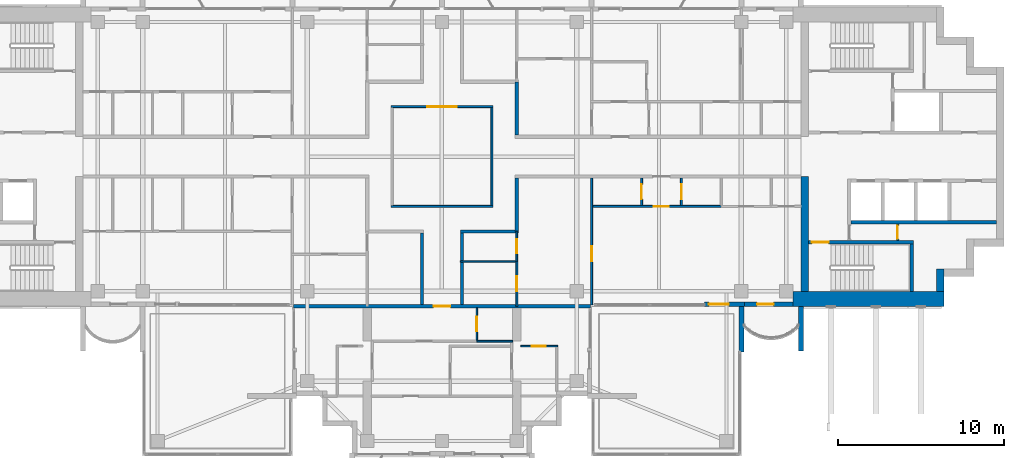
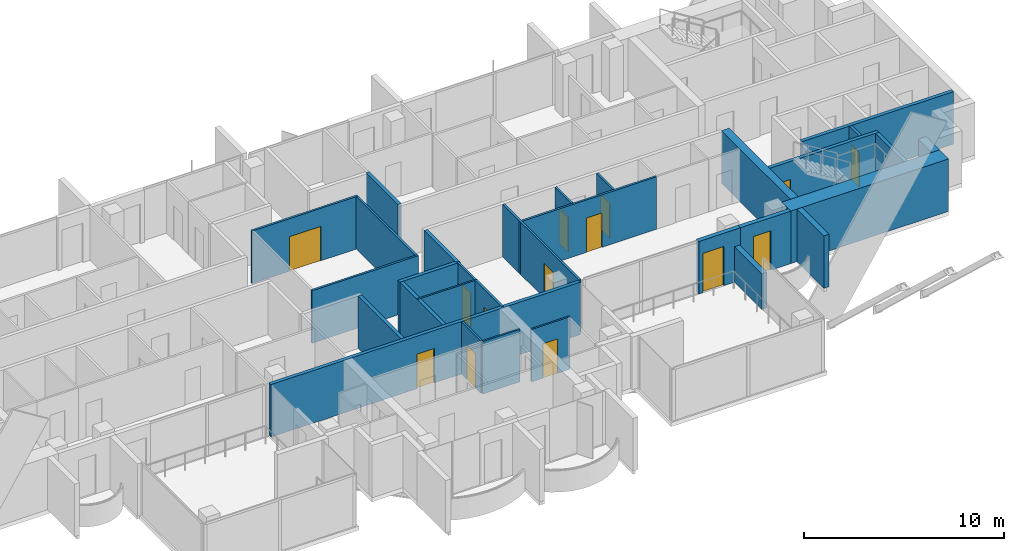
# One storey, part 11 of 18: 30 walls, 14 doors, 14 openings.
"""IFC4 building model written with IfcOpenShell, lengths in metres."""

from ifc_helpers import new_model, si_unit, direction, frame, frame_2d, origin, place, context, subcontext, project, spatial, rectangle, extrude, material, layer, layer_set, type_object, element, fill, save


model = new_model("IFC4")

# Units and contexts
model_context = context("Model", 3, precision=1e-05, world=origin(), true_north=direction((0.0, 1.0)))
body_context = subcontext(model_context, "Body", "Model", "MODEL_VIEW")
ifc_project = project(units=[si_unit("LENGTHUNIT", "METRE"), si_unit("AREAUNIT", "SQUARE_METRE"), si_unit("VOLUMEUNIT", "CUBIC_METRE"), si_unit("PLANEANGLEUNIT", "RADIAN"), si_unit("MASSUNIT", "GRAM", prefix="KILO")], contexts=[model_context])

# Site, building, storey
site_placement = place(None, origin())
site = spatial("IfcSite", under=ifc_project, at=site_placement, CompositionType="ELEMENT")
building_placement = place(site_placement, origin())
building = spatial("IfcBuilding", under=site, at=building_placement, Name="Perihelion Cross Residences", CompositionType="ELEMENT")
storey_placement = place(building_placement, frame((0.0, 0.0, 281.5)))
storey = spatial("IfcBuildingStorey", under=building, at=storey_placement, Name="L72", CompositionType="ELEMENT", Elevation=281.5)

# Walls
ifc_material_1 = material(Name="Plasterboard partition")
ifc_layer_1 = layer(ifc_material_1, 0.199951171875)
ifc_layer_set_1 = layer_set([ifc_layer_1], Name="Apartment separation wall 200")
wall_type_1 = type_object("IfcWallType", Name="Apartment separation wall 200", PredefinedType="PARTITIONING", material=ifc_layer_set_1)
for number, where, z_axis, x_axis, name in (
    (1, (4.5, 4.5, 0.0), (0.0, 0.0, 1.0), (0.0, -1.0, 0.0), "Partition L72 W006"),
    (2, (4.5, -1.300048828125, 0.0), (0.0, 0.0, 1.0), (0.0, -1.0, 0.0), "Partition L72 W010"),
):
    element("IfcWall", number, at=place(storey_placement, frame(where, z_axis=z_axis, x_axis=x_axis)), inside=storey, type_object=wall_type_1, Name=name, PredefinedType="PARTITIONING", context=body_context, shape_type="SweptSolid", body=[
        extrude(rectangle(XDim=3.199951171875, YDim=0.199951171875, at=frame_2d((1.60009765625, 0.0))), origin(), (0.0, 0.0, 1.0), 3.199951171875),
    ])
wall_1_placement = place(storey_placement, frame((4.60009765625, -4.5, 0.0), z_axis=(0.0, 0.0, 1.0), x_axis=(-1.0, 0.0, 0.0)))
element("IfcWall", 3, at=wall_1_placement, inside=storey, type_object=wall_type_1, Name="Partition L72 W011", PredefinedType="PARTITIONING", context=body_context, shape_type="SweptSolid", body=[
    extrude(rectangle(XDim=3.5, YDim=0.199951171875, at=frame_2d((1.75, 0.0))), origin(), (0.0, 0.0, 1.0), 3.199951171875),
])
for number, where, z_axis, x_axis, name in (
    (4, (1.199951171875, -4.60009765625, 0.0), (0.0, 0.0, 1.0), (0.0, -1.0, 0.0), "Partition L72 W012"),
    (5, (-1.199951171875, -8.89990234375, 0.0), (0.0, 0.0, 1.0), (0.0, 1.0, 0.0), "Partition L72 W019"),
):
    element("IfcWall", number, at=place(storey_placement, frame(where, z_axis=z_axis, x_axis=x_axis)), inside=storey, type_object=wall_type_1, Name=name, PredefinedType="PARTITIONING", context=body_context, shape_type="SweptSolid", body=[
        extrude(rectangle(XDim=4.2998046875, YDim=0.199951171875, at=frame_2d((2.14990234375, 0.0))), origin(), (0.0, 0.0, 1.0), 3.199951171875),
    ])

# Wall, opening, door
wall_2_placement = place(storey_placement, frame((8.919921875, -9.0, 0.0), z_axis=(0.0, 0.0, 1.0), x_axis=(-1.0, 0.0, 0.0)))
wall_2 = element("IfcWall", 6, at=wall_2_placement, inside=storey, type_object=wall_type_1, Name="Partition L72 W021", PredefinedType="PARTITIONING", context=body_context, shape_type="SweptSolid", body=[
    extrude(rectangle(XDim=17.83984375, YDim=0.199951171875, at=frame_2d((8.919921875, 0.0))), origin(), (0.0, 0.0, 1.0), 3.199951171875),
])
opening_1_placement = place(wall_2_placement, frame((8.419921875, 0.0, 0.0)))
opening_1 = element("IfcOpeningElement", 7, at=opening_1_placement, cuts=wall_2, Name="Opening L72.A35", PredefinedType="OPENING", context=body_context, shape_type="SweptSolid", body=[
    extrude(rectangle(XDim=1.0, YDim=2.10009765625, at=frame_2d((0.5, 1.050048828125))), frame((0.0, 0.10986328125, 0.0), z_axis=(0.0, -1.0, 0.0), x_axis=(1.0, 0.0, 0.0)), (0.0, 0.0, 1.0), 0.219970703125),
])
ifc_material_2 = material(Name="Timber door leaf", Category="wood")
door_type_1 = type_object("IfcDoorType", Name="Flat entrance door 1000 x 2100", OperationType="SINGLE_SWING_LEFT", PredefinedType="DOOR", material=ifc_material_2)
door_1_placement = place(opening_1_placement, origin())
door_1 = element("IfcDoor", 8, at=door_1_placement, inside=storey, type_object=door_type_1, Name="Door L72.A35", OperationType="SINGLE_SWING_LEFT", OverallHeight=2.10009765625, OverallWidth=1.0, PredefinedType="DOOR", context=body_context, shape_type="SweptSolid", body=[
    extrude(rectangle(XDim=1.0, YDim=2.10009765625, at=frame_2d((0.5, 1.050048828125))), frame((0.0, 0.02490234375, 0.0), z_axis=(0.0, -1.0, 0.0), x_axis=(1.0, 0.0, 0.0)), (0.0, 0.0, 1.0), 0.050048828125),
])
fill(opening_1, door_1)

ifc_material_3 = material(Name="Concrete C30/37, bronze-clad", Category="concrete")
ifc_layer_2 = layer(ifc_material_3, 0.25)
ifc_layer_set_2 = layer_set([ifc_layer_2], Name="Bronze-clad pier wall 250")
wall_type_2 = type_object("IfcWallType", Name="Bronze-clad pier wall 250", PredefinedType="SOLIDWALL", material=ifc_layer_set_2)
wall_3_placement = place(storey_placement, frame((15.800048828125, -8.875, 0.0), z_axis=(0.0, 0.0, 1.0), x_axis=(1.0, 0.0, 0.0)))
wall_3 = element("IfcWall", 9, at=wall_3_placement, inside=storey, type_object=wall_type_2, Name="Wall FW1 L72 east side south bay 1 pier", PredefinedType="SOLIDWALL", context=body_context, shape_type="SweptSolid", body=[
    extrude(rectangle(XDim=2.39990234375, YDim=0.25, at=frame_2d((1.199951171875, 0.0))), origin(), (0.0, 0.0, 1.0), 3.199951171875),
])
opening_2_placement = place(wall_3_placement, frame((0.25, 0.0, 0.0)))
opening_2 = element("IfcOpeningElement", 10, at=opening_2_placement, cuts=wall_3, Name="Opening L72.E13", PredefinedType="OPENING", context=body_context, shape_type="SweptSolid", body=[
    extrude(rectangle(XDim=1.199951171875, YDim=2.39990234375, at=frame_2d((0.60009765625, 1.199951171875))), frame((0.0, 0.135009765625, 0.0), z_axis=(0.0, -1.0, 0.0), x_axis=(1.0, 0.0, 0.0)), (0.0, 0.0, 1.0), 0.27001953125),
])
ifc_material_4 = material(Name="Bronze anodised aluminium, glazed", Category="aluminium")
door_type_2 = type_object("IfcDoorType", Name="Balcony door 1200 x 2400", OperationType="NOTDEFINED", PredefinedType="DOOR", material=ifc_material_4)
door_2_placement = place(opening_2_placement, origin())
door_2 = element("IfcDoor", 11, at=door_2_placement, inside=storey, type_object=door_type_2, Name="Door L72.E13 east side south bay 1", OperationType="SINGLE_SWING_LEFT", OverallHeight=2.39990234375, OverallWidth=1.199951171875, PredefinedType="DOOR", context=body_context, shape_type="SweptSolid", body=[
    extrude(rectangle(XDim=1.199951171875, YDim=2.39990234375, at=frame_2d((0.60009765625, 1.199951171875))), frame((0.0, 0.02490234375, 0.0), z_axis=(0.0, -1.0, 0.0), x_axis=(1.0, 0.0, 0.0)), (0.0, 0.0, 1.0), 0.050048828125),
])
fill(opening_2, door_2)

wall_4_placement = place(storey_placement, frame((18.199951171875, -8.875, 0.0), z_axis=(0.0, 0.0, 1.0), x_axis=(1.0, 0.0, 0.0)))
wall_4 = element("IfcWall", 12, at=wall_4_placement, inside=storey, type_object=wall_type_2, Name="Wall FW1 L72 east side south bay 2 pier", PredefinedType="SOLIDWALL", context=body_context, shape_type="SweptSolid", body=[
    extrude(rectangle(XDim=2.900146484375, YDim=0.25, at=frame_2d((1.4501953125, 0.0))), origin(), (0.0, 0.0, 1.0), 3.199951171875),
])
opening_3_placement = place(wall_4_placement, frame((0.75, 0.0, 0.0)))
opening_3 = element("IfcOpeningElement", 13, at=opening_3_placement, cuts=wall_4, Name="Opening L72.E14", PredefinedType="OPENING", context=body_context, shape_type="SweptSolid", body=[
    extrude(rectangle(XDim=1.0, YDim=2.39990234375, at=frame_2d((0.5, 1.199951171875))), frame((0.0, 0.135009765625, 0.0), z_axis=(0.0, -1.0, 0.0), x_axis=(1.0, 0.0, 0.0)), (0.0, 0.0, 1.0), 0.27001953125),
])
ifc_material_5 = material(Name="Bronze anodised aluminium, glazed", Category="aluminium")
door_type_3 = type_object("IfcDoorType", Name="Balcony door 1000 x 2400", OperationType="NOTDEFINED", PredefinedType="DOOR", material=ifc_material_5)
door_3_placement = place(opening_3_placement, origin())
door_3 = element("IfcDoor", 14, at=door_3_placement, inside=storey, type_object=door_type_3, Name="Door L72.E14 east side south bay 2", OperationType="SINGLE_SWING_RIGHT", OverallHeight=2.39990234375, OverallWidth=1.0, PredefinedType="DOOR", context=body_context, shape_type="SweptSolid", body=[
    extrude(rectangle(XDim=1.0, YDim=2.39990234375, at=frame_2d((0.5, 1.199951171875))), frame((0.0, 0.02490234375, 0.0), z_axis=(0.0, -1.0, 0.0), x_axis=(1.0, 0.0, 0.0)), (0.0, 0.0, 1.0), 0.050048828125),
])
fill(opening_3, door_3)

# Walls
ifc_material_6 = material(Name="Concrete C60/75", Category="concrete")
ifc_layer_3 = layer(ifc_material_6, 0.449951171875)
ifc_layer_set_3 = layer_set([ifc_layer_3], Name="Core wall, inner 450")
wall_type_3 = type_object("IfcWallType", Name="Core wall, inner 450", PredefinedType="SHEAR", material=ifc_layer_set_3)
wall_5_placement = place(storey_placement, frame((21.824951171875, -8.10009765625, 0.0), z_axis=(0.0, 0.0, 1.0), x_axis=(0.0, 1.0, 0.0)))
element("IfcWall", 15, at=wall_5_placement, inside=storey, type_object=wall_type_3, Name="East core core wall, inner", PredefinedType="SHEAR", context=body_context, shape_type="SweptSolid", body=[
    extrude(rectangle(XDim=6.900146484375, YDim=0.449951171875, at=frame_2d((3.4501953125, 0.0))), origin(), (0.0, 0.0, 1.0), 3.199951171875),
])
ifc_material_7 = material(Name="Concrete C60/75", Category="concrete")
ifc_layer_4 = layer(ifc_material_7, 0.449951171875)
ifc_layer_set_4 = layer_set([ifc_layer_4], Name="Core wall, outer 450")
wall_type_4 = type_object("IfcWallType", Name="Core wall, outer 450", PredefinedType="SHEAR", material=ifc_layer_set_4)
wall_6_placement = place(storey_placement, frame((29.97509765625, -8.10009765625, 0.0), z_axis=(0.0, 0.0, 1.0), x_axis=(0.0, 1.0, 0.0)))
element("IfcWall", 16, at=wall_6_placement, inside=storey, type_object=wall_type_4, Name="East core core wall, outer", PredefinedType="SHEAR", context=body_context, shape_type="SweptSolid", body=[
    extrude(rectangle(XDim=1.35009765625, YDim=0.449951171875, at=frame_2d((0.675048828125, 0.0))), origin(), (0.0, 0.0, 1.0), 3.199951171875),
])
ifc_material_8 = material(Name="Concrete C60/75", Category="concrete")
ifc_layer_5 = layer(ifc_material_8, 0.89990234375)
ifc_layer_set_5 = layer_set([ifc_layer_5], Name="Core wall, outer 900")
wall_type_5 = type_object("IfcWallType", Name="Core wall, outer 900", PredefinedType="SHEAR", material=ifc_layer_set_5)
wall_7_placement = place(storey_placement, frame((21.10009765625, -8.550048828125, 0.0), z_axis=(0.0, 0.0, 1.0), x_axis=(1.0, 0.0, 0.0)))
element("IfcWall", 17, at=wall_7_placement, inside=storey, type_object=wall_type_5, Name="East core core wall, outer", PredefinedType="SHEAR", context=body_context, shape_type="SweptSolid", body=[
    extrude(rectangle(XDim=9.099853515625, YDim=0.89990234375, at=frame_2d((4.5498046875, 0.0))), origin(), (0.0, 0.0, 1.0), 3.199951171875),
])
ifc_material_9 = material(Name="Plasterboard partition")
ifc_layer_6 = layer(ifc_material_9, 0.1201171875)
ifc_layer_set_6 = layer_set([ifc_layer_6], Name="Partition wall 120")
wall_type_6 = type_object("IfcWallType", Name="Partition wall 120", PredefinedType="PARTITIONING", material=ifc_layer_set_6)
wall_8_placement = place(storey_placement, frame((-3.06005859375, -3.0, 0.0), z_axis=(0.0, 0.0, 1.0), x_axis=(1.0, 0.0, 0.0)))
element("IfcWall", 18, at=wall_8_placement, inside=storey, type_object=wall_type_6, Name="Partition L72 W001", PredefinedType="PARTITIONING", context=body_context, shape_type="SweptSolid", body=[
    extrude(rectangle(XDim=6.1201171875, YDim=0.1201171875, at=frame_2d((3.06005859375, 0.0))), origin(), (0.0, 0.0, 1.0), 3.199951171875),
])
wall_9_placement = place(storey_placement, frame((3.0, -2.93994140625, 0.0), z_axis=(0.0, 0.0, 1.0), x_axis=(0.0, 1.0, 0.0)))
element("IfcWall", 19, at=wall_9_placement, inside=storey, type_object=wall_type_6, Name="Partition L72 W002", PredefinedType="PARTITIONING", context=body_context, shape_type="SweptSolid", body=[
    extrude(rectangle(XDim=5.8798828125, YDim=0.1201171875, at=frame_2d((2.93994140625, 0.0))), origin(), (0.0, 0.0, 1.0), 3.199951171875),
])

# Wall, opening, door
wall_10_placement = place(storey_placement, frame((3.06005859375, 3.0, 0.0), z_axis=(0.0, 0.0, 1.0), x_axis=(-1.0, 0.0, 0.0)))
wall_10 = element("IfcWall", 20, at=wall_10_placement, inside=storey, type_object=wall_type_6, Name="Partition L72 W003", PredefinedType="PARTITIONING", context=body_context, shape_type="SweptSolid", body=[
    extrude(rectangle(XDim=6.1201171875, YDim=0.1201171875, at=frame_2d((3.06005859375, 0.0))), origin(), (0.0, 0.0, 1.0), 3.199951171875),
])
opening_4_placement = place(wall_10_placement, frame((2.159912109375, 0.0, 0.0)))
opening_4 = element("IfcOpeningElement", 21, at=opening_4_placement, cuts=wall_10, Name="Opening L72.A01", PredefinedType="OPENING", context=body_context, shape_type="SweptSolid", body=[
    extrude(rectangle(XDim=1.800048828125, YDim=2.10009765625, at=frame_2d((0.89990234375, 1.050048828125))), frame((0.0, 0.070068359375, 0.0), z_axis=(0.0, -1.0, 0.0), x_axis=(1.0, 0.0, 0.0)), (0.0, 0.0, 1.0), 0.14013671875),
])
ifc_material_10 = material(Name="Glazed timber door leaf", Category="wood")
door_type_4 = type_object("IfcDoorType", Name="Interior double leaf door 1800 x 2100", OperationType="DOUBLE_DOOR_SINGLE_SWING", PredefinedType="DOOR", material=ifc_material_10)
door_4_placement = place(opening_4_placement, origin())
door_4 = element("IfcDoor", 22, at=door_4_placement, inside=storey, type_object=door_type_4, Name="Door L72.A01", OperationType="SINGLE_SWING_LEFT", OverallHeight=2.10009765625, OverallWidth=1.800048828125, PredefinedType="DOOR", context=body_context, shape_type="SweptSolid", body=[
    extrude(rectangle(XDim=1.800048828125, YDim=2.10009765625, at=frame_2d((0.89990234375, 1.050048828125))), frame((0.0, 0.02490234375, 0.0), z_axis=(0.0, -1.0, 0.0), x_axis=(1.0, 0.0, 0.0)), (0.0, 0.0, 1.0), 0.050048828125),
])
fill(opening_4, door_4)

wall_11_placement = place(storey_placement, frame((12.0, -1.300048828125, 0.0), z_axis=(0.0, 0.0, 1.0), x_axis=(0.0, -1.0, 0.0)))
wall_11 = element("IfcWall", 23, at=wall_11_placement, inside=storey, type_object=wall_type_6, Name="Partition L72 W035", PredefinedType="PARTITIONING", context=body_context, shape_type="SweptSolid", body=[
    extrude(rectangle(XDim=1.639892578125, YDim=0.1201171875, at=frame_2d((0.81982421875, 0.0))), origin(), (0.0, 0.0, 1.0), 3.199951171875),
])
opening_5_placement = place(wall_11_placement, frame((0.3701171875, 0.0, 0.0)))
opening_5 = element("IfcOpeningElement", 24, at=opening_5_placement, cuts=wall_11, Name="Opening L72.A12", PredefinedType="OPENING", context=body_context, shape_type="SweptSolid", body=[
    extrude(rectangle(XDim=0.89990234375, YDim=2.10009765625, at=frame_2d((0.449951171875, 1.050048828125))), frame((0.0, 0.070068359375, 0.0), z_axis=(0.0, -1.0, 0.0), x_axis=(1.0, 0.0, 0.0)), (0.0, 0.0, 1.0), 0.14013671875),
])
ifc_material_11 = material(Name="Timber door leaf", Category="wood")
door_type_5 = type_object("IfcDoorType", Name="Interior room door 900 x 2100", OperationType="SINGLE_SWING_LEFT", PredefinedType="DOOR", material=ifc_material_11)
door_5_placement = place(opening_5_placement, origin())
door_5 = element("IfcDoor", 25, at=door_5_placement, inside=storey, type_object=door_type_5, Name="Door L72.A12", OperationType="SINGLE_SWING_LEFT", OverallHeight=2.10009765625, OverallWidth=0.89990234375, PredefinedType="DOOR", context=body_context, shape_type="SweptSolid", body=[
    extrude(rectangle(XDim=0.89990234375, YDim=2.10009765625, at=frame_2d((0.449951171875, 1.050048828125))), frame((0.0, 0.02490234375, 0.0), z_axis=(0.0, -1.0, 0.0), x_axis=(1.0, 0.0, 0.0)), (0.0, 0.0, 1.0), 0.050048828125),
])
fill(opening_5, door_5)

wall_12_placement = place(storey_placement, frame((16.800048828125, -3.0, 0.0), z_axis=(0.0, 0.0, 1.0), x_axis=(-1.0, 0.0, 0.0)))
wall_12 = element("IfcWall", 26, at=wall_12_placement, inside=storey, type_object=wall_type_6, Name="Partition L72 W036", PredefinedType="PARTITIONING", context=body_context, shape_type="SweptSolid", body=[
    extrude(rectangle(XDim=7.860107421875, YDim=0.1201171875, at=frame_2d((3.93017578125, 0.0))), origin(), (0.0, 0.0, 1.0), 3.199951171875),
])
opening_6_placement = place(wall_12_placement, frame((3.14990234375, 0.0, 0.0)))
opening_6 = element("IfcOpeningElement", 27, at=opening_6_placement, cuts=wall_12, Name="Opening L72.A17", PredefinedType="OPENING", context=body_context, shape_type="SweptSolid", body=[
    extrude(rectangle(XDim=0.89990234375, YDim=2.10009765625, at=frame_2d((0.449951171875, 1.050048828125))), frame((0.0, 0.070068359375, 0.0), z_axis=(0.0, -1.0, 0.0), x_axis=(1.0, 0.0, 0.0)), (0.0, 0.0, 1.0), 0.14013671875),
])
door_6_placement = place(opening_6_placement, origin())
door_6 = element("IfcDoor", 28, at=door_6_placement, inside=storey, type_object=door_type_5, Name="Door L72.A17", OperationType="SINGLE_SWING_RIGHT", OverallHeight=2.10009765625, OverallWidth=0.89990234375, PredefinedType="DOOR", context=body_context, shape_type="SweptSolid", body=[
    extrude(rectangle(XDim=0.89990234375, YDim=2.10009765625, at=frame_2d((0.449951171875, 1.050048828125))), frame((0.0, 0.02490234375, 0.0), z_axis=(0.0, -1.0, 0.0), x_axis=(1.0, 0.0, 0.0)), (0.0, 0.0, 1.0), 0.050048828125),
])
fill(opening_6, door_6)

wall_13_placement = place(storey_placement, frame((9.0, -8.919921875, 0.0), z_axis=(0.0, 0.0, 1.0), x_axis=(0.0, 1.0, 0.0)))
wall_13 = element("IfcWall", 29, at=wall_13_placement, inside=storey, type_object=wall_type_6, Name="Partition L72 W037", PredefinedType="PARTITIONING", context=body_context, shape_type="SweptSolid", body=[
    extrude(rectangle(XDim=7.619873046875, YDim=0.1201171875, at=frame_2d((3.81005859375, 0.0))), origin(), (0.0, 0.0, 1.0), 3.199951171875),
])
opening_7_placement = place(wall_13_placement, frame((2.6201171875, 0.0, 0.0)))
opening_7 = element("IfcOpeningElement", 30, at=opening_7_placement, cuts=wall_13, Name="Opening L72.A14", PredefinedType="OPENING", context=body_context, shape_type="SweptSolid", body=[
    extrude(rectangle(XDim=0.89990234375, YDim=2.10009765625, at=frame_2d((0.449951171875, 1.050048828125))), frame((0.0, 0.070068359375, 0.0), z_axis=(0.0, -1.0, 0.0), x_axis=(1.0, 0.0, 0.0)), (0.0, 0.0, 1.0), 0.14013671875),
])
door_7_placement = place(opening_7_placement, origin())
door_7 = element("IfcDoor", 31, at=door_7_placement, inside=storey, type_object=door_type_5, Name="Door L72.A14", OperationType="SINGLE_SWING_RIGHT", OverallHeight=2.10009765625, OverallWidth=0.89990234375, PredefinedType="DOOR", context=body_context, shape_type="SweptSolid", body=[
    extrude(rectangle(XDim=0.89990234375, YDim=2.10009765625, at=frame_2d((0.449951171875, 1.050048828125))), frame((0.0, 0.02490234375, 0.0), z_axis=(0.0, -1.0, 0.0), x_axis=(1.0, 0.0, 0.0)), (0.0, 0.0, 1.0), 0.050048828125),
])
fill(opening_7, door_7)

wall_14_placement = place(storey_placement, frame((14.39990234375, -1.300048828125, 0.0), z_axis=(0.0, 0.0, 1.0), x_axis=(0.0, -1.0, 0.0)))
wall_14 = element("IfcWall", 32, at=wall_14_placement, inside=storey, type_object=wall_type_6, Name="Partition L72 W038", PredefinedType="PARTITIONING", context=body_context, shape_type="SweptSolid", body=[
    extrude(rectangle(XDim=1.639892578125, YDim=0.1201171875, at=frame_2d((0.81982421875, 0.0))), origin(), (0.0, 0.0, 1.0), 3.199951171875),
])
opening_8_placement = place(wall_14_placement, frame((0.3701171875, 0.0, 0.0)))
opening_8 = element("IfcOpeningElement", 33, at=opening_8_placement, cuts=wall_14, Name="Opening L72.A18", PredefinedType="OPENING", context=body_context, shape_type="SweptSolid", body=[
    extrude(rectangle(XDim=0.89990234375, YDim=2.10009765625, at=frame_2d((0.449951171875, 1.050048828125))), frame((0.0, 0.070068359375, 0.0), z_axis=(0.0, -1.0, 0.0), x_axis=(1.0, 0.0, 0.0)), (0.0, 0.0, 1.0), 0.14013671875),
])
door_8_placement = place(opening_8_placement, origin())
door_8 = element("IfcDoor", 34, at=door_8_placement, inside=storey, type_object=door_type_5, Name="Door L72.A18", OperationType="SINGLE_SWING_RIGHT", OverallHeight=2.10009765625, OverallWidth=0.89990234375, PredefinedType="DOOR", context=body_context, shape_type="SweptSolid", body=[
    extrude(rectangle(XDim=0.89990234375, YDim=2.10009765625, at=frame_2d((0.449951171875, 1.050048828125))), frame((0.0, 0.02490234375, 0.0), z_axis=(0.0, -1.0, 0.0), x_axis=(1.0, 0.0, 0.0)), (0.0, 0.0, 1.0), 0.050048828125),
])
fill(opening_8, door_8)

wall_15_placement = place(storey_placement, frame((4.5, -9.0, 0.0), z_axis=(0.0, 0.0, 1.0), x_axis=(0.0, 1.0, 0.0)))
wall_15 = element("IfcWall", 35, at=wall_15_placement, inside=storey, type_object=wall_type_6, Name="Partition L72 W044", PredefinedType="PARTITIONING", context=body_context, shape_type="SweptSolid", body=[
    extrude(rectangle(XDim=2.699951171875, YDim=0.1201171875, at=frame_2d((1.35009765625, 0.0))), origin(), (0.0, 0.0, 1.0), 3.199951171875),
])
opening_9_placement = place(wall_15_placement, frame((0.89990234375, 0.0, 0.0)))
opening_9 = element("IfcOpeningElement", 36, at=opening_9_placement, cuts=wall_15, Name="Opening L72.A15", PredefinedType="OPENING", context=body_context, shape_type="SweptSolid", body=[
    extrude(rectangle(XDim=0.89990234375, YDim=2.10009765625, at=frame_2d((0.449951171875, 1.050048828125))), frame((0.0, 0.070068359375, 0.0), z_axis=(0.0, -1.0, 0.0), x_axis=(1.0, 0.0, 0.0)), (0.0, 0.0, 1.0), 0.14013671875),
])
door_9_placement = place(opening_9_placement, origin())
door_9 = element("IfcDoor", 37, at=door_9_placement, inside=storey, type_object=door_type_5, Name="Door L72.A15", OperationType="SINGLE_SWING_RIGHT", OverallHeight=2.10009765625, OverallWidth=0.89990234375, PredefinedType="DOOR", context=body_context, shape_type="SweptSolid", body=[
    extrude(rectangle(XDim=0.89990234375, YDim=2.10009765625, at=frame_2d((0.449951171875, 1.050048828125))), frame((0.0, 0.02490234375, 0.0), z_axis=(0.0, -1.0, 0.0), x_axis=(1.0, 0.0, 0.0)), (0.0, 0.0, 1.0), 0.050048828125),
])
fill(opening_9, door_9)

# Walls
ifc_material_12 = material(Name="Precast concrete C50/60", Category="concrete")
ifc_layer_7 = layer(ifc_material_12, 0.300048828125)
ifc_layer_set_7 = layer_set([ifc_layer_7], Name="Precast concrete C50/60 blade wall 300")
wall_type_7 = type_object("IfcWallType", Name="Precast concrete C50/60 blade wall 300", PredefinedType="SOLIDWALL", material=ifc_layer_set_7)
wall_16_placement = place(storey_placement, frame((18.0, -9.0, 0.0), z_axis=(0.0, 0.0, 1.0), x_axis=(0.0, -1.0, 0.0)))
element("IfcWall", 38, at=wall_16_placement, inside=storey, type_object=wall_type_7, Name="Wall BL1 L72 no. 10", PredefinedType="SOLIDWALL", context=body_context, shape_type="SweptSolid", body=[
    extrude(rectangle(XDim=2.739990234375, YDim=0.300048828125, at=frame_2d((1.3701171875, 0.0))), origin(), (0.0, 0.0, 1.0), 2.169921875),
])
wall_17_placement = place(storey_placement, frame((21.60009765625, -9.0, 0.0), z_axis=(0.0, 0.0, 1.0), x_axis=(0.0, -1.0, 0.0)))
element("IfcWall", 39, at=wall_17_placement, inside=storey, type_object=wall_type_7, Name="Wall BL1 L72 no. 12", PredefinedType="SOLIDWALL", context=body_context, shape_type="SweptSolid", body=[
    extrude(rectangle(XDim=2.699951171875, YDim=0.300048828125, at=frame_2d((1.35009765625, 0.0))), origin(), (0.0, 0.0, 1.0), 3.199951171875),
])

# Wall, opening, door
ifc_material_13 = material(Name="Fire-rated board on steel stud", Category="steel")
ifc_layer_8 = layer(ifc_material_13, 0.14990234375)
ifc_layer_set_8 = layer_set([ifc_layer_8], Name="Riser wall 150")
wall_type_8 = type_object("IfcWallType", Name="Riser wall 150", PredefinedType="PARTITIONING", material=ifc_layer_set_8)
wall_18_placement = place(storey_placement, frame((27.39990234375, -5.050048828125, 0.0), z_axis=(0.0, 0.0, 1.0), x_axis=(0.0, 1.0, 0.0)))
wall_18 = element("IfcWall", 40, at=wall_18_placement, inside=storey, type_object=wall_type_8, Name="East core riser wall", PredefinedType="PARTITIONING", context=body_context, shape_type="SweptSolid", body=[
    extrude(rectangle(XDim=1.0, YDim=0.14990234375, at=frame_2d((0.5, 0.0))), origin(), (0.0, 0.0, 1.0), 3.199951171875),
])
opening_10_placement = place(wall_18_placement, frame((0.10009765625, 0.0, 0.0)))
opening_10 = element("IfcOpeningElement", 41, at=opening_10_placement, cuts=wall_18, Name="Opening L72.C11", PredefinedType="OPENING", context=body_context, shape_type="SweptSolid", body=[
    extrude(rectangle(XDim=0.800048828125, YDim=2.10009765625, at=frame_2d((0.39990234375, 1.050048828125))), frame((0.0, 0.0849609375, 0.0), z_axis=(0.0, -1.0, 0.0), x_axis=(1.0, 0.0, 0.0)), (0.0, 0.0, 1.0), 0.169921875),
])
ifc_material_14 = material(Name="Steel, powder coated", Category="steel")
door_type_6 = type_object("IfcDoorType", Name="Riser door 800", OperationType="SINGLE_SWING_LEFT", PredefinedType="DOOR", material=ifc_material_14)
door_10_placement = place(opening_10_placement, origin())
door_10 = element("IfcDoor", 42, at=door_10_placement, inside=storey, type_object=door_type_6, Name="East core riser door", OperationType="SINGLE_SWING_LEFT", OverallHeight=2.10009765625, OverallWidth=0.800048828125, PredefinedType="DOOR", context=body_context, shape_type="SweptSolid", body=[
    extrude(rectangle(XDim=0.800048828125, YDim=2.10009765625, at=frame_2d((0.39990234375, 1.050048828125))), frame((0.0, 0.02490234375, 0.0), z_axis=(0.0, -1.0, 0.0), x_axis=(1.0, 0.0, 0.0)), (0.0, 0.0, 1.0), 0.050048828125),
])
fill(opening_10, door_10)

# Wall
ifc_material_15 = material(Name="Concrete C50/60", Category="concrete")
ifc_layer_9 = layer(ifc_material_15, 0.199951171875)
ifc_layer_set_9 = layer_set([ifc_layer_9], Name="Shaft wall 200")
wall_type_9 = type_object("IfcWallType", Name="Shaft wall 200", PredefinedType="SOLIDWALL", material=ifc_layer_set_9)
wall_19_placement = place(storey_placement, frame((24.60009765625, -3.949951171875, 0.0), z_axis=(0.0, 0.0, 1.0), x_axis=(1.0, 0.0, 0.0)))
element("IfcWall", 43, at=wall_19_placement, inside=storey, type_object=wall_type_9, Name="East core shaft wall", PredefinedType="SOLIDWALL", context=body_context, shape_type="SweptSolid", body=[
    extrude(rectangle(XDim=8.75, YDim=0.199951171875, at=frame_2d((4.375, 0.0))), origin(), (0.0, 0.0, 1.0), 3.199951171875),
])

# Wall, opening, door
ifc_material_16 = material(Name="Concrete C50/60", Category="concrete")
ifc_layer_10 = layer(ifc_material_16, 0.199951171875)
ifc_layer_set_10 = layer_set([ifc_layer_10], Name="Stair wall 200")
wall_type_10 = type_object("IfcWallType", Name="Stair wall 200", PredefinedType="SOLIDWALL", material=ifc_layer_set_10)
wall_20_placement = place(storey_placement, frame((22.050048828125, -5.14990234375, 0.0), z_axis=(0.0, 0.0, 1.0), x_axis=(1.0, 0.0, 0.0)))
wall_20 = element("IfcWall", 44, at=wall_20_placement, inside=storey, type_object=wall_type_10, Name="East core stair wall", PredefinedType="SOLIDWALL", context=body_context, shape_type="SweptSolid", body=[
    extrude(rectangle(XDim=6.300048828125, YDim=0.199951171875, at=frame_2d((3.14990234375, 0.0))), origin(), (0.0, 0.0, 1.0), 3.199951171875),
])
opening_11_placement = place(wall_20_placement, frame((0.199951171875, 0.0, 0.0)))
opening_11 = element("IfcOpeningElement", 45, at=opening_11_placement, cuts=wall_20, Name="Opening L72.C05", PredefinedType="OPENING", context=body_context, shape_type="SweptSolid", body=[
    extrude(rectangle(XDim=1.0, YDim=2.10009765625, at=frame_2d((0.5, 1.050048828125))), frame((0.0, 0.10986328125, 0.0), z_axis=(0.0, -1.0, 0.0), x_axis=(1.0, 0.0, 0.0)), (0.0, 0.0, 1.0), 0.219970703125),
])
ifc_material_17 = material(Name="Steel, powder coated", Category="steel")
door_type_7 = type_object("IfcDoorType", Name="Stair door 1000", OperationType="SINGLE_SWING_LEFT", PredefinedType="DOOR", material=ifc_material_17)
door_11_placement = place(opening_11_placement, origin())
door_11 = element("IfcDoor", 46, at=door_11_placement, inside=storey, type_object=door_type_7, Name="East core stair door", OperationType="SINGLE_SWING_LEFT", OverallHeight=2.10009765625, OverallWidth=1.0, PredefinedType="DOOR", context=body_context, shape_type="SweptSolid", body=[
    extrude(rectangle(XDim=1.0, YDim=2.10009765625, at=frame_2d((0.5, 1.050048828125))), frame((0.0, 0.02490234375, 0.0), z_axis=(0.0, -1.0, 0.0), x_axis=(1.0, 0.0, 0.0)), (0.0, 0.0, 1.0), 0.050048828125),
])
fill(opening_11, door_11)

# Wall
wall_21_placement = place(storey_placement, frame((28.25, -8.10009765625, 0.0), z_axis=(0.0, 0.0, 1.0), x_axis=(0.0, 1.0, 0.0)))
element("IfcWall", 47, at=wall_21_placement, inside=storey, type_object=wall_type_10, Name="East core stair wall", PredefinedType="SOLIDWALL", context=body_context, shape_type="SweptSolid", body=[
    extrude(rectangle(XDim=2.85009765625, YDim=0.199951171875, at=frame_2d((1.425048828125, 0.0))), origin(), (0.0, 0.0, 1.0), 3.199951171875),
])

# Wall, opening, door
ifc_material_18 = material(Name="Plasterboard partition")
ifc_layer_11 = layer(ifc_material_18, 0.10009765625)
ifc_layer_set_11 = layer_set([ifc_layer_11], Name="Wet room wall 100")
wall_type_11 = type_object("IfcWallType", Name="Wet room wall 100", PredefinedType="PARTITIONING", material=ifc_layer_set_11)
wall_22_placement = place(storey_placement, frame((4.5, -6.300048828125, 0.0), z_axis=(0.0, 0.0, 1.0), x_axis=(0.0, 1.0, 0.0)))
wall_22 = element("IfcWall", 48, at=wall_22_placement, inside=storey, type_object=wall_type_11, Name="Partition L72 W043", PredefinedType="PARTITIONING", context=body_context, shape_type="SweptSolid", body=[
    extrude(rectangle(XDim=1.800048828125, YDim=0.10009765625, at=frame_2d((0.89990234375, 0.0))), origin(), (0.0, 0.0, 1.0), 3.199951171875),
])
opening_12_placement = place(wall_22_placement, frame((0.47509765625, 0.0, 0.0)))
opening_12 = element("IfcOpeningElement", 49, at=opening_12_placement, cuts=wall_22, Name="Opening L72.A16", PredefinedType="OPENING", context=body_context, shape_type="SweptSolid", body=[
    extrude(rectangle(XDim=0.85009765625, YDim=2.10009765625, at=frame_2d((0.425048828125, 1.050048828125))), frame((0.0, 0.06005859375, 0.0), z_axis=(0.0, -1.0, 0.0), x_axis=(1.0, 0.0, 0.0)), (0.0, 0.0, 1.0), 0.1201171875),
])
ifc_material_19 = material(Name="Timber door leaf", Category="wood")
door_type_8 = type_object("IfcDoorType", Name="Interior bathroom door 850 x 2100", OperationType="SINGLE_SWING_LEFT", PredefinedType="DOOR", material=ifc_material_19)
door_12_placement = place(opening_12_placement, origin())
door_12 = element("IfcDoor", 50, at=door_12_placement, inside=storey, type_object=door_type_8, Name="Door L72.A16", OperationType="SINGLE_SWING_LEFT", OverallHeight=2.10009765625, OverallWidth=0.85009765625, PredefinedType="DOOR", context=body_context, shape_type="SweptSolid", body=[
    extrude(rectangle(XDim=0.85009765625, YDim=2.10009765625, at=frame_2d((0.425048828125, 1.050048828125))), frame((0.0, 0.02490234375, 0.0), z_axis=(0.0, -1.0, 0.0), x_axis=(1.0, 0.0, 0.0)), (0.0, 0.0, 1.0), 0.050048828125),
])
fill(opening_12, door_12)

# Wall
wall_23_placement = place(storey_placement, frame((4.56005859375, -6.300048828125, 0.0), z_axis=(0.0, 0.0, 1.0), x_axis=(-1.0, 0.0, 0.0)))
element("IfcWall", 51, at=wall_23_placement, inside=storey, type_object=wall_type_11, Name="Partition L72 W045", PredefinedType="PARTITIONING", context=body_context, shape_type="SweptSolid", body=[
    extrude(rectangle(XDim=3.4599609375, YDim=0.10009765625, at=frame_2d((1.72998046875, 0.0))), origin(), (0.0, 0.0, 1.0), 3.199951171875),
])

# Wall, opening, door
wall_24_placement = place(storey_placement, frame((2.10009765625, -9.10009765625, 0.0), z_axis=(0.0, 0.0, 1.0), x_axis=(0.0, -1.0, 0.0)))
wall_24 = element("IfcWall", 52, at=wall_24_placement, inside=storey, type_object=wall_type_11, Name="Partition L72 W067", PredefinedType="PARTITIONING", context=body_context, shape_type="SweptSolid", body=[
    extrude(rectangle(XDim=1.93994140625, YDim=0.10009765625, at=frame_2d((0.969970703125, 0.0))), origin(), (0.0, 0.0, 1.0), 3.199951171875),
])
opening_13_placement = place(wall_24_placement, frame((0.544921875, 0.0, 0.0)))
opening_13 = element("IfcOpeningElement", 53, at=opening_13_placement, cuts=wall_24, Name="Opening L72.A36", PredefinedType="OPENING", context=body_context, shape_type="SweptSolid", body=[
    extrude(rectangle(XDim=0.85009765625, YDim=2.10009765625, at=frame_2d((0.425048828125, 1.050048828125))), frame((0.0, 0.06005859375, 0.0), z_axis=(0.0, -1.0, 0.0), x_axis=(1.0, 0.0, 0.0)), (0.0, 0.0, 1.0), 0.1201171875),
])
door_13_placement = place(opening_13_placement, origin())
door_13 = element("IfcDoor", 54, at=door_13_placement, inside=storey, type_object=door_type_8, Name="Door L72.A36", OperationType="SINGLE_SWING_RIGHT", OverallHeight=2.10009765625, OverallWidth=0.85009765625, PredefinedType="DOOR", context=body_context, shape_type="SweptSolid", body=[
    extrude(rectangle(XDim=0.85009765625, YDim=2.10009765625, at=frame_2d((0.425048828125, 1.050048828125))), frame((0.0, 0.02490234375, 0.0), z_axis=(0.0, -1.0, 0.0), x_axis=(1.0, 0.0, 0.0)), (0.0, 0.0, 1.0), 0.050048828125),
])
fill(opening_13, door_13)

# Wall
wall_25_placement = place(storey_placement, frame((4.25, -11.10009765625, 0.0), z_axis=(0.0, 0.0, 1.0), x_axis=(-1.0, 0.0, 0.0)))
element("IfcWall", 55, at=wall_25_placement, inside=storey, type_object=wall_type_11, Name="Partition L72 W069", PredefinedType="PARTITIONING", context=body_context, shape_type="SweptSolid", body=[
    extrude(rectangle(XDim=2.14990234375, YDim=0.10009765625, at=frame_2d((1.074951171875, 0.0))), origin(), (0.0, 0.0, 1.0), 3.199951171875),
])

# Wall, opening, door
wall_26_placement = place(storey_placement, frame((6.949951171875, -11.39990234375, 0.0), z_axis=(0.0, 0.0, 1.0), x_axis=(-1.0, 0.0, 0.0)))
wall_26 = element("IfcWall", 56, at=wall_26_placement, inside=storey, type_object=wall_type_11, Name="Partition L72 W074", PredefinedType="PARTITIONING", context=body_context, shape_type="SweptSolid", body=[
    extrude(rectangle(XDim=2.199951171875, YDim=0.10009765625, at=frame_2d((1.10009765625, 0.0))), origin(), (0.0, 0.0, 1.0), 3.199951171875),
])
opening_14_placement = place(wall_26_placement, frame((0.699951171875, 0.0, 0.0)))
opening_14 = element("IfcOpeningElement", 57, at=opening_14_placement, cuts=wall_26, Name="Opening L72.A40", PredefinedType="OPENING", context=body_context, shape_type="SweptSolid", body=[
    extrude(rectangle(XDim=0.85009765625, YDim=2.10009765625, at=frame_2d((0.425048828125, 1.050048828125))), frame((0.0, 0.06005859375, 0.0), z_axis=(0.0, -1.0, 0.0), x_axis=(1.0, 0.0, 0.0)), (0.0, 0.0, 1.0), 0.1201171875),
])
door_14_placement = place(opening_14_placement, origin())
door_14 = element("IfcDoor", 58, at=door_14_placement, inside=storey, type_object=door_type_8, Name="Door L72.A40", OperationType="SINGLE_SWING_RIGHT", OverallHeight=2.10009765625, OverallWidth=0.85009765625, PredefinedType="DOOR", context=body_context, shape_type="SweptSolid", body=[
    extrude(rectangle(XDim=0.85009765625, YDim=2.10009765625, at=frame_2d((0.425048828125, 1.050048828125))), frame((0.0, 0.02490234375, 0.0), z_axis=(0.0, -1.0, 0.0), x_axis=(1.0, 0.0, 0.0)), (0.0, 0.0, 1.0), 0.050048828125),
])
fill(opening_14, door_14)

save(model, "model.ifc")
